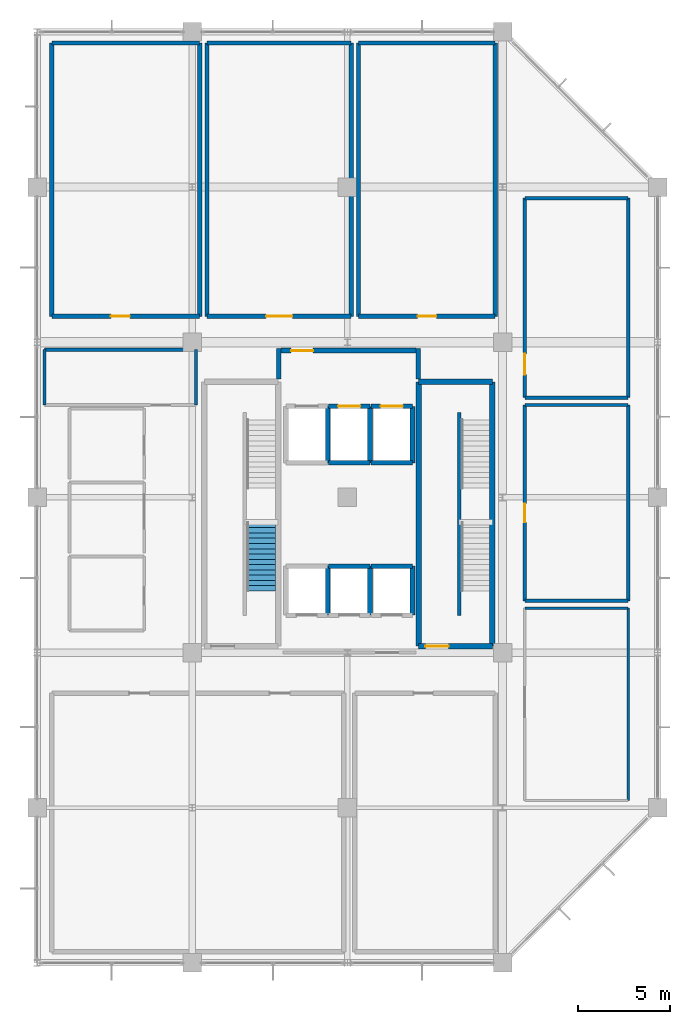
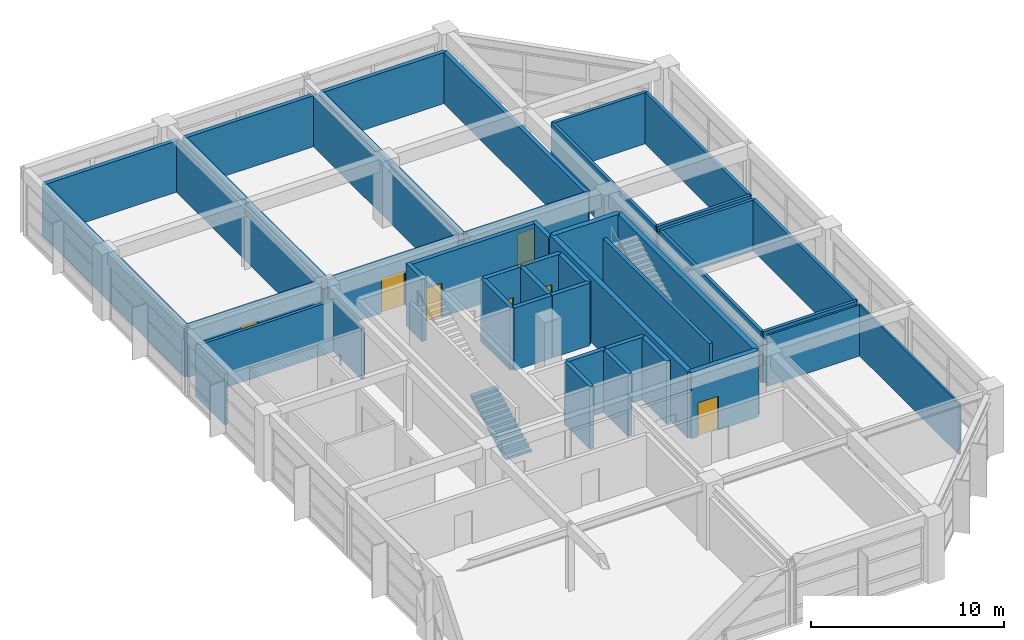
# One storey, part 14 of 16: 45 walls, 9 doors, 1 stair flight, 9 openings, 1 element without a shape of its own.
"""IFC4 building model written with IfcOpenShell, lengths in metres."""

from ifc_helpers import new_model, si_unit, direction, frame, frame_2d, origin, place, context, subcontext, project, spatial, polyline, rectangle, outline, extrude, material, layer, layer_set, type_object, element, fill, aggregate, save


model = new_model("IFC4")

# Units and contexts
model_context = context("Model", 3, precision=1e-05, world=origin(), true_north=direction((0.0, 1.0)))
body_context = subcontext(model_context, "Body", "Model", "MODEL_VIEW")
ifc_project = project(units=[si_unit("LENGTHUNIT", "METRE"), si_unit("AREAUNIT", "SQUARE_METRE"), si_unit("VOLUMEUNIT", "CUBIC_METRE"), si_unit("PLANEANGLEUNIT", "RADIAN"), si_unit("MASSUNIT", "GRAM", prefix="KILO")], contexts=[model_context])

# Site, building, storey
site_placement = place(None, origin())
site = spatial("IfcSite", under=ifc_project, at=site_placement, CompositionType="ELEMENT")
building_placement = place(site_placement, origin())
building = spatial("IfcBuilding", under=site, at=building_placement, Name="Xuanlan Plaza Opera House", CompositionType="ELEMENT")
storey_placement = place(building_placement, frame((0.0, 0.0, 48.89990234375)))
storey = spatial("IfcBuildingStorey", under=building, at=storey_placement, Name="L11", CompositionType="ELEMENT", Elevation=48.89990234375)

# Wall, opening, door
ifc_material_1 = material(Name="Gypsum Board and Galvanised Steel Studs", Category="gypsum")
ifc_layer_1 = layer(ifc_material_1, 0.239990234375)
ifc_layer_set_1 = layer_set([ifc_layer_1], Name="Gypsum Board and Galvanised Steel Studs")
wall_type_1 = type_object("IfcWallType", Name="INT-WL-PW-01", PredefinedType="PARTITIONING", material=ifc_layer_set_1)
wall_1_placement = place(storey_placement, frame((126.800048828125, 68.60009765625, 0.0), z_axis=(0.0, 0.0, 1.0), x_axis=(1.0, 0.0, 0.0)))
wall_1 = element("IfcWall", 1, at=wall_1_placement, inside=storey, type_object=wall_type_1, Name="Chamber Coaching Studio 1 Wall South", PredefinedType="PARTITIONING", context=body_context, shape_type="SweptSolid", body=[
    extrude(rectangle(XDim=8.0, YDim=0.239990234375, at=frame_2d((4.0, 0.0))), origin(), (0.0, 0.0, 1.0), 3.239990234375),
])
opening_1_placement = place(wall_1_placement, frame((3.199951171875, 0.0, 0.0)))
opening_1 = element("IfcOpeningElement", 2, at=opening_1_placement, cuts=wall_1, Name="Opening D-02", PredefinedType="OPENING", context=body_context, shape_type="SweptSolid", body=[
    extrude(rectangle(XDim=1.02001953125, YDim=2.10009765625, at=frame_2d((0.510009765625, 1.050048828125))), frame((0.0, 0.1298828125, 0.0), z_axis=(0.0, -1.0, 0.0), x_axis=(1.0, 0.0, 0.0)), (0.0, 0.0, 1.0), 0.260009765625),
])
ifc_material_2 = material(Name="Oak Hardwood Timber", Category="wood")
door_type_1 = type_object("IfcDoorType", Name="INT-DR-D-02", OperationType="NOTDEFINED", PredefinedType="DOOR", material=ifc_material_2)
door_1_placement = place(opening_1_placement, origin())
door_1 = element("IfcDoor", 3, at=door_1_placement, inside=storey, type_object=door_type_1, Name="Chamber Coaching Studio 1 Door 1", OperationType="SINGLE_SWING_LEFT", OverallHeight=2.10009765625, OverallWidth=1.02001953125, PredefinedType="DOOR", context=body_context, shape_type="SweptSolid", body=[
    extrude(rectangle(XDim=1.02001953125, YDim=2.10009765625, at=frame_2d((0.510009765625, 1.050048828125))), frame((0.0, 0.02490234375, 0.0), z_axis=(0.0, -1.0, 0.0), x_axis=(1.0, 0.0, 0.0)), (0.0, 0.0, 1.0), 0.050048828125),
])
fill(opening_1, door_1)

# Walls
wall_2_placement = place(storey_placement, frame((126.800048828125, 83.39990234375, 0.0), z_axis=(0.0, 0.0, 1.0), x_axis=(1.0, 0.0, 0.0)))
element("IfcWall", 4, at=wall_2_placement, inside=storey, type_object=wall_type_1, Name="Chamber Coaching Studio 1 Wall North", PredefinedType="PARTITIONING", context=body_context, shape_type="SweptSolid", body=[
    extrude(rectangle(XDim=8.0, YDim=0.239990234375, at=frame_2d((4.0, 0.0))), origin(), (0.0, 0.0, 1.0), 3.239990234375),
])
for number, where, z_axis, x_axis, name in (
    (5, (126.800048828125, 68.60009765625, 0.0), (0.0, 0.0, 1.0), (0.0, 1.0, 0.0), "Chamber Coaching Studio 1 Wall West"),
    (6, (134.800048828125, 68.60009765625, 0.0), (0.0, 0.0, 1.0), (0.0, 1.0, 0.0), "Chamber Coaching Studio 1 Wall East"),
):
    element("IfcWall", number, at=place(storey_placement, frame(where, z_axis=z_axis, x_axis=x_axis)), inside=storey, type_object=wall_type_1, Name=name, PredefinedType="PARTITIONING", context=body_context, shape_type="SweptSolid", body=[
        extrude(rectangle(XDim=14.7998046875, YDim=0.239990234375, at=frame_2d((7.39990234375, 0.0))), origin(), (0.0, 0.0, 1.0), 3.239990234375),
    ])

# Wall, opening, door
wall_3_placement = place(storey_placement, frame((135.199951171875, 68.60009765625, 0.0), z_axis=(0.0, 0.0, 1.0), x_axis=(1.0, 0.0, 0.0)))
wall_3 = element("IfcWall", 7, at=wall_3_placement, inside=storey, type_object=wall_type_1, Name="Chamber Coaching Studio 2 Wall South", PredefinedType="PARTITIONING", context=body_context, shape_type="SweptSolid", body=[
    extrude(rectangle(XDim=7.800048828125, YDim=0.239990234375, at=frame_2d((3.89990234375, 0.0))), origin(), (0.0, 0.0, 1.0), 3.239990234375),
])
opening_2_placement = place(wall_3_placement, frame((3.199951171875, 0.0, 0.0)))
opening_2 = element("IfcOpeningElement", 8, at=opening_2_placement, cuts=wall_3, Name="Opening D-12", PredefinedType="OPENING", context=body_context, shape_type="SweptSolid", body=[
    extrude(rectangle(XDim=1.419921875, YDim=2.179931640625, at=frame_2d((0.7099609375, 1.08984375))), frame((0.0, 0.1298828125, 0.0), z_axis=(0.0, -1.0, 0.0), x_axis=(1.0, 0.0, 0.0)), (0.0, 0.0, 1.0), 0.260009765625),
])
door_type_2 = type_object("IfcDoorType", Name="INT-DR-D-12", OperationType="DOUBLE_DOOR_SINGLE_SWING", PredefinedType="DOOR", material=ifc_material_2)
door_2_placement = place(opening_2_placement, origin())
door_2 = element("IfcDoor", 9, at=door_2_placement, inside=storey, type_object=door_type_2, Name="Chamber Coaching Studio 2 Door 1", OperationType="DOUBLE_DOOR_SINGLE_SWING", OverallHeight=2.179931640625, OverallWidth=1.419921875, PredefinedType="DOOR", context=body_context, shape_type="SweptSolid", body=[
    extrude(rectangle(XDim=1.419921875, YDim=2.179931640625, at=frame_2d((0.7099609375, 1.08984375))), frame((0.0, 0.02490234375, 0.0), z_axis=(0.0, -1.0, 0.0), x_axis=(1.0, 0.0, 0.0)), (0.0, 0.0, 1.0), 0.050048828125),
])
fill(opening_2, door_2)

# Walls
wall_4_placement = place(storey_placement, frame((135.199951171875, 83.39990234375, 0.0), z_axis=(0.0, 0.0, 1.0), x_axis=(1.0, 0.0, 0.0)))
element("IfcWall", 10, at=wall_4_placement, inside=storey, type_object=wall_type_1, Name="Chamber Coaching Studio 2 Wall North", PredefinedType="PARTITIONING", context=body_context, shape_type="SweptSolid", body=[
    extrude(rectangle(XDim=7.800048828125, YDim=0.239990234375, at=frame_2d((3.89990234375, 0.0))), origin(), (0.0, 0.0, 1.0), 3.239990234375),
])
for number, where, z_axis, x_axis, name in (
    (11, (135.199951171875, 68.60009765625, 0.0), (0.0, 0.0, 1.0), (0.0, 1.0, 0.0), "Chamber Coaching Studio 2 Wall West"),
    (12, (143.0, 68.60009765625, 0.0), (0.0, 0.0, 1.0), (0.0, 1.0, 0.0), "Chamber Coaching Studio 2 Wall East"),
):
    element("IfcWall", number, at=place(storey_placement, frame(where, z_axis=z_axis, x_axis=x_axis)), inside=storey, type_object=wall_type_1, Name=name, PredefinedType="PARTITIONING", context=body_context, shape_type="SweptSolid", body=[
        extrude(rectangle(XDim=14.7998046875, YDim=0.239990234375, at=frame_2d((7.39990234375, 0.0))), origin(), (0.0, 0.0, 1.0), 3.239990234375),
    ])

# Wall, opening, door
wall_5_placement = place(storey_placement, frame((143.39990234375, 68.60009765625, 0.0), z_axis=(0.0, 0.0, 1.0), x_axis=(1.0, 0.0, 0.0)))
wall_5 = element("IfcWall", 13, at=wall_5_placement, inside=storey, type_object=wall_type_1, Name="Chamber Coaching Studio 3 Wall South", PredefinedType="PARTITIONING", context=body_context, shape_type="SweptSolid", body=[
    extrude(rectangle(XDim=7.400146484375, YDim=0.239990234375, at=frame_2d((3.7001953125, 0.0))), origin(), (0.0, 0.0, 1.0), 3.239990234375),
])
opening_3_placement = place(wall_5_placement, frame((3.199951171875, 0.0, 0.0)))
opening_3 = element("IfcOpeningElement", 14, at=opening_3_placement, cuts=wall_5, Name="Opening D-02", PredefinedType="OPENING", context=body_context, shape_type="SweptSolid", body=[
    extrude(rectangle(XDim=1.02001953125, YDim=2.10009765625, at=frame_2d((0.510009765625, 1.050048828125))), frame((0.0, 0.1298828125, 0.0), z_axis=(0.0, -1.0, 0.0), x_axis=(1.0, 0.0, 0.0)), (0.0, 0.0, 1.0), 0.260009765625),
])
door_3_placement = place(opening_3_placement, origin())
door_3 = element("IfcDoor", 15, at=door_3_placement, inside=storey, type_object=door_type_1, Name="Chamber Coaching Studio 3 Door 1", OperationType="SINGLE_SWING_LEFT", OverallHeight=2.10009765625, OverallWidth=1.02001953125, PredefinedType="DOOR", context=body_context, shape_type="SweptSolid", body=[
    extrude(rectangle(XDim=1.02001953125, YDim=2.10009765625, at=frame_2d((0.510009765625, 1.050048828125))), frame((0.0, 0.02490234375, 0.0), z_axis=(0.0, -1.0, 0.0), x_axis=(1.0, 0.0, 0.0)), (0.0, 0.0, 1.0), 0.050048828125),
])
fill(opening_3, door_3)

# Walls
wall_6_placement = place(storey_placement, frame((143.39990234375, 83.39990234375, 0.0), z_axis=(0.0, 0.0, 1.0), x_axis=(1.0, 0.0, 0.0)))
element("IfcWall", 16, at=wall_6_placement, inside=storey, type_object=wall_type_1, Name="Chamber Coaching Studio 3 Wall North", PredefinedType="PARTITIONING", context=body_context, shape_type="SweptSolid", body=[
    extrude(rectangle(XDim=7.400146484375, YDim=0.239990234375, at=frame_2d((3.7001953125, 0.0))), origin(), (0.0, 0.0, 1.0), 3.239990234375),
])
for number, where, z_axis, x_axis, name in (
    (17, (143.39990234375, 68.60009765625, 0.0), (0.0, 0.0, 1.0), (0.0, 1.0, 0.0), "Chamber Coaching Studio 3 Wall West"),
    (18, (150.800048828125, 68.60009765625, 0.0), (0.0, 0.0, 1.0), (0.0, 1.0, 0.0), "Chamber Coaching Studio 3 Wall East"),
):
    element("IfcWall", number, at=place(storey_placement, frame(where, z_axis=z_axis, x_axis=x_axis)), inside=storey, type_object=wall_type_1, Name=name, PredefinedType="PARTITIONING", context=body_context, shape_type="SweptSolid", body=[
        extrude(rectangle(XDim=14.7998046875, YDim=0.239990234375, at=frame_2d((7.39990234375, 0.0))), origin(), (0.0, 0.0, 1.0), 3.239990234375),
    ])
ifc_layer_2 = layer(ifc_material_1, 0.179931640625)
ifc_layer_set_2 = layer_set([ifc_layer_2], Name="Gypsum Board and Galvanised Steel Studs")
wall_type_2 = type_object("IfcWallType", Name="INT-WL-PW-02", PredefinedType="PARTITIONING", material=ifc_layer_set_2)
for number, where, z_axis, x_axis, name in (
    (19, (152.39990234375, 53.199951171875, 0.0), (0.0, 0.0, 1.0), (1.0, 0.0, 0.0), "Libretto and Media Editing Room 2 Wall South"),
    (20, (152.39990234375, 63.800048828125, 0.0), (0.0, 0.0, 1.0), (1.0, 0.0, 0.0), "Libretto and Media Editing Room 2 Wall North"),
):
    element("IfcWall", number, at=place(storey_placement, frame(where, z_axis=z_axis, x_axis=x_axis)), inside=storey, type_object=wall_type_2, Name=name, PredefinedType="PARTITIONING", context=body_context, shape_type="SweptSolid", body=[
        extrude(rectangle(XDim=5.60009765625, YDim=0.179931640625, at=frame_2d((2.800048828125, 0.0))), origin(), (0.0, 0.0, 1.0), 3.239990234375),
    ])

# Wall, opening, door
wall_7_placement = place(storey_placement, frame((152.39990234375, 53.199951171875, 0.0), z_axis=(0.0, 0.0, 1.0), x_axis=(0.0, 1.0, 0.0)))
wall_7 = element("IfcWall", 21, at=wall_7_placement, inside=storey, type_object=wall_type_2, Name="Libretto and Media Editing Room 2 Wall West", PredefinedType="PARTITIONING", context=body_context, shape_type="SweptSolid", body=[
    extrude(rectangle(XDim=10.60009765625, YDim=0.179931640625, at=frame_2d((5.300048828125, 0.0))), origin(), (0.0, 0.0, 1.0), 3.239990234375),
])
opening_4_placement = place(wall_7_placement, frame((4.25, 0.0, 0.0)))
opening_4 = element("IfcOpeningElement", 22, at=opening_4_placement, cuts=wall_7, Name="Opening D-02", PredefinedType="OPENING", context=body_context, shape_type="SweptSolid", body=[
    extrude(rectangle(XDim=1.02001953125, YDim=2.10009765625, at=frame_2d((0.510009765625, 1.050048828125))), frame((0.0, 0.099853515625, 0.0), z_axis=(0.0, -1.0, 0.0), x_axis=(1.0, 0.0, 0.0)), (0.0, 0.0, 1.0), 0.199951171875),
])
door_4_placement = place(opening_4_placement, origin())
door_4 = element("IfcDoor", 23, at=door_4_placement, inside=storey, type_object=door_type_1, Name="Libretto and Media Editing Room 2 Door 1", OperationType="SINGLE_SWING_LEFT", OverallHeight=2.10009765625, OverallWidth=1.02001953125, PredefinedType="DOOR", context=body_context, shape_type="SweptSolid", body=[
    extrude(rectangle(XDim=1.02001953125, YDim=2.10009765625, at=frame_2d((0.510009765625, 1.050048828125))), frame((0.0, 0.02490234375, 0.0), z_axis=(0.0, -1.0, 0.0), x_axis=(1.0, 0.0, 0.0)), (0.0, 0.0, 1.0), 0.050048828125),
])
fill(opening_4, door_4)

# Walls
wall_8_placement = place(storey_placement, frame((158.0, 53.199951171875, 0.0), z_axis=(0.0, 0.0, 1.0), x_axis=(0.0, 1.0, 0.0)))
element("IfcWall", 24, at=wall_8_placement, inside=storey, type_object=wall_type_2, Name="Libretto and Media Editing Room 2 Wall East", PredefinedType="PARTITIONING", context=body_context, shape_type="SweptSolid", body=[
    extrude(rectangle(XDim=10.60009765625, YDim=0.179931640625, at=frame_2d((5.300048828125, 0.0))), origin(), (0.0, 0.0, 1.0), 3.239990234375),
])
for number, where, z_axis, x_axis, name in (
    (25, (152.39990234375, 64.199951171875, 0.0), (0.0, 0.0, 1.0), (1.0, 0.0, 0.0), "Libretto and Media Editing Room 3 Wall South"),
    (26, (152.39990234375, 75.0, 0.0), (0.0, 0.0, 1.0), (1.0, 0.0, 0.0), "Libretto and Media Editing Room 3 Wall North"),
):
    element("IfcWall", number, at=place(storey_placement, frame(where, z_axis=z_axis, x_axis=x_axis)), inside=storey, type_object=wall_type_2, Name=name, PredefinedType="PARTITIONING", context=body_context, shape_type="SweptSolid", body=[
        extrude(rectangle(XDim=5.60009765625, YDim=0.179931640625, at=frame_2d((2.800048828125, 0.0))), origin(), (0.0, 0.0, 1.0), 3.239990234375),
    ])

# Wall, opening, door
wall_9_placement = place(storey_placement, frame((152.39990234375, 64.199951171875, 0.0), z_axis=(0.0, 0.0, 1.0), x_axis=(0.0, 1.0, 0.0)))
wall_9 = element("IfcWall", 27, at=wall_9_placement, inside=storey, type_object=wall_type_2, Name="Libretto and Media Editing Room 3 Wall West", PredefinedType="PARTITIONING", context=body_context, shape_type="SweptSolid", body=[
    extrude(rectangle(XDim=10.800048828125, YDim=0.179931640625, at=frame_2d((5.39990234375, 0.0))), origin(), (0.0, 0.0, 1.0), 3.239990234375),
])
opening_5_placement = place(wall_9_placement, frame((1.25, 0.0, 0.0)))
opening_5 = element("IfcOpeningElement", 28, at=opening_5_placement, cuts=wall_9, Name="Opening D-10", PredefinedType="OPENING", context=body_context, shape_type="SweptSolid", body=[
    extrude(rectangle(XDim=1.1201171875, YDim=2.139892578125, at=frame_2d((0.56005859375, 1.06982421875))), frame((0.0, 0.099853515625, 0.0), z_axis=(0.0, -1.0, 0.0), x_axis=(1.0, 0.0, 0.0)), (0.0, 0.0, 1.0), 0.199951171875),
])
door_type_3 = type_object("IfcDoorType", Name="INT-DR-D-10", OperationType="NOTDEFINED", PredefinedType="DOOR", material=ifc_material_2)
door_5_placement = place(opening_5_placement, origin())
door_5 = element("IfcDoor", 29, at=door_5_placement, inside=storey, type_object=door_type_3, Name="Libretto and Media Editing Room 3 Door 1", OperationType="SINGLE_SWING_LEFT", OverallHeight=2.139892578125, OverallWidth=1.1201171875, PredefinedType="DOOR", context=body_context, shape_type="SweptSolid", body=[
    extrude(rectangle(XDim=1.1201171875, YDim=2.139892578125, at=frame_2d((0.56005859375, 1.06982421875))), frame((0.0, 0.02490234375, 0.0), z_axis=(0.0, -1.0, 0.0), x_axis=(1.0, 0.0, 0.0)), (0.0, 0.0, 1.0), 0.050048828125),
])
fill(opening_5, door_5)

# Walls
wall_10_placement = place(storey_placement, frame((158.0, 64.199951171875, 0.0), z_axis=(0.0, 0.0, 1.0), x_axis=(0.0, 1.0, 0.0)))
element("IfcWall", 30, at=wall_10_placement, inside=storey, type_object=wall_type_2, Name="Libretto and Media Editing Room 3 Wall East", PredefinedType="PARTITIONING", context=body_context, shape_type="SweptSolid", body=[
    extrude(rectangle(XDim=10.800048828125, YDim=0.179931640625, at=frame_2d((5.39990234375, 0.0))), origin(), (0.0, 0.0, 1.0), 3.239990234375),
])
wall_11_placement = place(storey_placement, frame((126.39990234375, 66.800048828125, 0.0), z_axis=(0.0, 0.0, 1.0), x_axis=(1.0, 0.0, 0.0)))
element("IfcWall", 31, at=wall_11_placement, inside=storey, type_object=wall_type_2, Name="Acoustics Research Studio Wall North", PredefinedType="PARTITIONING", context=body_context, shape_type="SweptSolid", body=[
    extrude(rectangle(XDim=8.2001953125, YDim=0.179931640625, at=frame_2d((4.10009765625, 0.0))), origin(), (0.0, 0.0, 1.0), 3.239990234375),
])
for number, where, z_axis, x_axis, name in (
    (32, (126.39990234375, 63.800048828125, 0.0), (0.0, 0.0, 1.0), (0.0, 1.0, 0.0), "Acoustics Research Studio Wall West"),
    (33, (134.60009765625, 63.800048828125, 0.0), (0.0, 0.0, 1.0), (0.0, 1.0, 0.0), "Acoustics Research Studio Wall East"),
):
    element("IfcWall", number, at=place(storey_placement, frame(where, z_axis=z_axis, x_axis=x_axis)), inside=storey, type_object=wall_type_2, Name=name, PredefinedType="PARTITIONING", context=body_context, shape_type="SweptSolid", body=[
        extrude(rectangle(XDim=3.0, YDim=0.179931640625, at=frame_2d((1.5, 0.0))), origin(), (0.0, 0.0, 1.0), 3.239990234375),
    ])
ifc_layer_3 = layer(ifc_material_1, 0.1201171875)
ifc_layer_set_3 = layer_set([ifc_layer_3], Name="Gypsum Board and Galvanised Steel Studs")
wall_type_3 = type_object("IfcWallType", Name="INT-WL-PW-04", PredefinedType="PARTITIONING", material=ifc_layer_set_3)
wall_12_placement = place(storey_placement, frame((152.39990234375, 52.800048828125, 0.0), z_axis=(0.0, 0.0, 1.0), x_axis=(1.0, 0.0, 0.0)))
element("IfcWall", 34, at=wall_12_placement, inside=storey, type_object=wall_type_3, Name="Libretto and Media Editing Room 1 Wall North", PredefinedType="PARTITIONING", context=body_context, shape_type="SweptSolid", body=[
    extrude(rectangle(XDim=5.60009765625, YDim=0.1201171875, at=frame_2d((2.800048828125, 0.0))), origin(), (0.0, 0.0, 1.0), 3.239990234375),
])
wall_13_placement = place(storey_placement, frame((158.0, 42.39990234375, 0.0), z_axis=(0.0, 0.0, 1.0), x_axis=(0.0, 1.0, 0.0)))
element("IfcWall", 35, at=wall_13_placement, inside=storey, type_object=wall_type_3, Name="Libretto and Media Editing Room 1 Wall East", PredefinedType="PARTITIONING", context=body_context, shape_type="SweptSolid", body=[
    extrude(rectangle(XDim=10.400146484375, YDim=0.1201171875, at=frame_2d((5.2001953125, 0.0))), origin(), (0.0, 0.0, 1.0), 3.239990234375),
])
ifc_material_3 = material(Name="Concrete C40", Category="concrete")
ifc_layer_4 = layer(ifc_material_3, 0.25)
ifc_layer_set_4 = layer_set([ifc_layer_4], Name="Concrete C40")
wall_type_4 = type_object("IfcWallType", Name="INT-WL-SW-LF1", PredefinedType="SHEAR", material=ifc_layer_set_4)
wall_14_placement = place(storey_placement, frame((141.72509765625, 60.675048828125, 0.0), z_axis=(0.0, 0.0, 1.0), x_axis=(0.0, 1.0, 0.0)))
element("IfcWall", 36, at=wall_14_placement, inside=storey, type_object=wall_type_4, Name="Lift Shaft Wall LF-FF1 L11 East", PredefinedType="SHEAR", context=body_context, shape_type="SweptSolid", body=[
    extrude(rectangle(XDim=3.050048828125, YDim=0.25, at=frame_2d((1.52490234375, 0.0))), origin(), (0.0, 0.0, 1.0), 3.960205078125),
])
wall_15_placement = place(storey_placement, frame((141.77490234375, 60.675048828125, 0.0), z_axis=(0.0, 0.0, 1.0), x_axis=(1.0, 0.0, 0.0)))
element("IfcWall", 37, at=wall_15_placement, inside=storey, type_object=wall_type_4, Name="Lift Shaft Wall LF-FF2 L11 South", PredefinedType="SHEAR", context=body_context, shape_type="SweptSolid", body=[
    extrude(rectangle(XDim=2.25, YDim=0.25, at=frame_2d((1.125, 0.0))), origin(), (0.0, 0.0, 1.0), 3.960205078125),
])

# Wall, opening, door
wall_16_placement = place(storey_placement, frame((141.77490234375, 63.72509765625, 0.0), z_axis=(0.0, 0.0, 1.0), x_axis=(1.0, 0.0, 0.0)))
wall_16 = element("IfcWall", 38, at=wall_16_placement, inside=storey, type_object=wall_type_4, Name="Lift Shaft Wall LF-FF2 L11 North", PredefinedType="SHEAR", context=body_context, shape_type="SweptSolid", body=[
    extrude(rectangle(XDim=2.25, YDim=0.25, at=frame_2d((1.125, 0.0))), origin(), (0.0, 0.0, 1.0), 3.960205078125),
])
opening_6_placement = place(wall_16_placement, frame((0.52490234375, 0.0, 0.0)))
opening_6 = element("IfcOpeningElement", 39, at=opening_6_placement, cuts=wall_16, Name="Opening LD-FF2-L11", PredefinedType="OPENING", context=body_context, shape_type="SweptSolid", body=[
    extrude(rectangle(XDim=1.199951171875, YDim=2.179931640625, at=frame_2d((0.60009765625, 1.08984375))), frame((0.0, 0.135009765625, 0.0), z_axis=(0.0, -1.0, 0.0), x_axis=(1.0, 0.0, 0.0)), (0.0, 0.0, 1.0), 0.27001953125),
])
ifc_material_4 = material(Name="Stainless Steel S30408", Category="steel")
door_type_4 = type_object("IfcDoorType", Name="INT-DR-LD-02", OperationType="DOUBLE_DOOR_SLIDING", PredefinedType="DOOR", material=ifc_material_4)
door_6_placement = place(opening_6_placement, origin())
door_6 = element("IfcDoor", 40, at=door_6_placement, inside=storey, type_object=door_type_4, Name="Lift Sliding Landing Door LF-FF2 L11", OperationType="DOUBLE_DOOR_SLIDING", OverallHeight=2.179931640625, OverallWidth=1.199951171875, PredefinedType="DOOR", context=body_context, shape_type="SweptSolid", body=[
    extrude(rectangle(XDim=1.199951171875, YDim=2.179931640625, at=frame_2d((0.60009765625, 1.08984375))), frame((0.0, 0.02490234375, 0.0), z_axis=(0.0, -1.0, 0.0), x_axis=(1.0, 0.0, 0.0)), (0.0, 0.0, 1.0), 0.050048828125),
])
fill(opening_6, door_6)

# Walls
wall_17_placement = place(storey_placement, frame((144.02490234375, 60.675048828125, 0.0), z_axis=(0.0, 0.0, 1.0), x_axis=(0.0, 1.0, 0.0)))
element("IfcWall", 41, at=wall_17_placement, inside=storey, type_object=wall_type_4, Name="Lift Shaft Wall LF-FF2 L11 East", PredefinedType="SHEAR", context=body_context, shape_type="SweptSolid", body=[
    extrude(rectangle(XDim=3.050048828125, YDim=0.25, at=frame_2d((1.52490234375, 0.0))), origin(), (0.0, 0.0, 1.0), 3.960205078125),
])
wall_18_placement = place(storey_placement, frame((144.074951171875, 60.675048828125, 0.0), z_axis=(0.0, 0.0, 1.0), x_axis=(1.0, 0.0, 0.0)))
element("IfcWall", 42, at=wall_18_placement, inside=storey, type_object=wall_type_4, Name="Lift Shaft Wall LF-FF3 L11 South", PredefinedType="SHEAR", context=body_context, shape_type="SweptSolid", body=[
    extrude(rectangle(XDim=2.25, YDim=0.25, at=frame_2d((1.125, 0.0))), origin(), (0.0, 0.0, 1.0), 3.960205078125),
])

# Wall, opening, door
wall_19_placement = place(storey_placement, frame((144.074951171875, 63.72509765625, 0.0), z_axis=(0.0, 0.0, 1.0), x_axis=(1.0, 0.0, 0.0)))
wall_19 = element("IfcWall", 43, at=wall_19_placement, inside=storey, type_object=wall_type_4, Name="Lift Shaft Wall LF-FF3 L11 North", PredefinedType="SHEAR", context=body_context, shape_type="SweptSolid", body=[
    extrude(rectangle(XDim=2.25, YDim=0.25, at=frame_2d((1.125, 0.0))), origin(), (0.0, 0.0, 1.0), 3.960205078125),
])
opening_7_placement = place(wall_19_placement, frame((0.52490234375, 0.0, 0.0)))
opening_7 = element("IfcOpeningElement", 44, at=opening_7_placement, cuts=wall_19, Name="Opening LD-FF3-L11", PredefinedType="OPENING", context=body_context, shape_type="SweptSolid", body=[
    extrude(rectangle(XDim=1.199951171875, YDim=2.179931640625, at=frame_2d((0.60009765625, 1.08984375))), frame((0.0, 0.135009765625, 0.0), z_axis=(0.0, -1.0, 0.0), x_axis=(1.0, 0.0, 0.0)), (0.0, 0.0, 1.0), 0.27001953125),
])
door_7_placement = place(opening_7_placement, origin())
door_7 = element("IfcDoor", 45, at=door_7_placement, inside=storey, type_object=door_type_4, Name="Lift Sliding Landing Door LF-FF3 L11", OperationType="DOUBLE_DOOR_SLIDING", OverallHeight=2.179931640625, OverallWidth=1.199951171875, PredefinedType="DOOR", context=body_context, shape_type="SweptSolid", body=[
    extrude(rectangle(XDim=1.199951171875, YDim=2.179931640625, at=frame_2d((0.60009765625, 1.08984375))), frame((0.0, 0.02490234375, 0.0), z_axis=(0.0, -1.0, 0.0), x_axis=(1.0, 0.0, 0.0)), (0.0, 0.0, 1.0), 0.050048828125),
])
fill(opening_7, door_7)

# Walls
wall_20_placement = place(storey_placement, frame((146.324951171875, 60.675048828125, 0.0), z_axis=(0.0, 0.0, 1.0), x_axis=(0.0, 1.0, 0.0)))
element("IfcWall", 46, at=wall_20_placement, inside=storey, type_object=wall_type_4, Name="Lift Shaft Wall LF-FF3 L11 East", PredefinedType="SHEAR", context=body_context, shape_type="SweptSolid", body=[
    extrude(rectangle(XDim=3.050048828125, YDim=0.25, at=frame_2d((1.52490234375, 0.0))), origin(), (0.0, 0.0, 1.0), 3.960205078125),
])
wall_21_placement = place(storey_placement, frame((141.72509765625, 52.425048828125, 0.0), z_axis=(0.0, 0.0, 1.0), x_axis=(0.0, 1.0, 0.0)))
element("IfcWall", 47, at=wall_21_placement, inside=storey, type_object=wall_type_4, Name="Lift Shaft Wall LF-P1 L11 East", PredefinedType="SHEAR", context=body_context, shape_type="SweptSolid", body=[
    extrude(rectangle(XDim=2.64990234375, YDim=0.25, at=frame_2d((1.324951171875, 0.0))), origin(), (0.0, 0.0, 1.0), 3.960205078125),
])
wall_22_placement = place(storey_placement, frame((141.77490234375, 55.074951171875, 0.0), z_axis=(0.0, 0.0, 1.0), x_axis=(1.0, 0.0, 0.0)))
element("IfcWall", 48, at=wall_22_placement, inside=storey, type_object=wall_type_4, Name="Lift Shaft Wall LF-P2 L11 North", PredefinedType="SHEAR", context=body_context, shape_type="SweptSolid", body=[
    extrude(rectangle(XDim=2.25, YDim=0.25, at=frame_2d((1.125, 0.0))), origin(), (0.0, 0.0, 1.0), 3.960205078125),
])
wall_23_placement = place(storey_placement, frame((144.02490234375, 52.425048828125, 0.0), z_axis=(0.0, 0.0, 1.0), x_axis=(0.0, 1.0, 0.0)))
element("IfcWall", 49, at=wall_23_placement, inside=storey, type_object=wall_type_4, Name="Lift Shaft Wall LF-P2 L11 East", PredefinedType="SHEAR", context=body_context, shape_type="SweptSolid", body=[
    extrude(rectangle(XDim=2.64990234375, YDim=0.25, at=frame_2d((1.324951171875, 0.0))), origin(), (0.0, 0.0, 1.0), 3.960205078125),
])
wall_24_placement = place(storey_placement, frame((144.074951171875, 55.074951171875, 0.0), z_axis=(0.0, 0.0, 1.0), x_axis=(1.0, 0.0, 0.0)))
element("IfcWall", 50, at=wall_24_placement, inside=storey, type_object=wall_type_4, Name="Lift Shaft Wall LF-P3 L11 North", PredefinedType="SHEAR", context=body_context, shape_type="SweptSolid", body=[
    extrude(rectangle(XDim=2.25, YDim=0.25, at=frame_2d((1.125, 0.0))), origin(), (0.0, 0.0, 1.0), 3.960205078125),
])
wall_25_placement = place(storey_placement, frame((146.324951171875, 52.425048828125, 0.0), z_axis=(0.0, 0.0, 1.0), x_axis=(0.0, 1.0, 0.0)))
element("IfcWall", 51, at=wall_25_placement, inside=storey, type_object=wall_type_4, Name="Lift Shaft Wall LF-P3 L11 East", PredefinedType="SHEAR", context=body_context, shape_type="SweptSolid", body=[
    extrude(rectangle(XDim=2.64990234375, YDim=0.25, at=frame_2d((1.324951171875, 0.0))), origin(), (0.0, 0.0, 1.0), 3.960205078125),
])
for number, where, z_axis, x_axis, name in (
    (52, (139.074951171875, 65.199951171875, 0.0), (0.0, 0.0, 1.0), (0.0, 1.0, 0.0), "Firefighting Lift Lobby Enclosure Wall L11 W"),
    (53, (146.625, 65.199951171875, 0.0), (0.0, 0.0, 1.0), (0.0, 1.0, 0.0), "Firefighting Lift Lobby Enclosure Wall L11 E"),
):
    element("IfcWall", number, at=place(storey_placement, frame(where, z_axis=z_axis, x_axis=x_axis)), inside=storey, type_object=wall_type_4, Name=name, PredefinedType="SHEAR", context=body_context, shape_type="SweptSolid", body=[
        extrude(rectangle(XDim=1.675048828125, YDim=0.25, at=frame_2d((0.83740234375, 0.0))), origin(), (0.0, 0.0, 1.0), 3.960205078125),
    ])

# Wall, opening, door
wall_26_placement = place(storey_placement, frame((139.199951171875, 66.75, 0.0), z_axis=(0.0, 0.0, 1.0), x_axis=(1.0, 0.0, 0.0)))
wall_26 = element("IfcWall", 54, at=wall_26_placement, inside=storey, type_object=wall_type_4, Name="Firefighting Lift Lobby Wall North", PredefinedType="SHEAR", context=body_context, shape_type="SweptSolid", body=[
    extrude(rectangle(XDim=7.300048828125, YDim=0.25, at=frame_2d((3.64990234375, 0.0))), origin(), (0.0, 0.0, 1.0), 3.960205078125),
])
opening_8_placement = place(wall_26_placement, frame((0.550048828125, 0.0, 0.0)))
opening_8 = element("IfcOpeningElement", 55, at=opening_8_placement, cuts=wall_26, Name="Opening FD-02", PredefinedType="OPENING", context=body_context, shape_type="SweptSolid", body=[
    extrude(rectangle(XDim=1.199951171875, YDim=2.14990234375, at=frame_2d((0.60009765625, 1.074951171875))), frame((0.0, 0.135009765625, 0.0), z_axis=(0.0, -1.0, 0.0), x_axis=(1.0, 0.0, 0.0)), (0.0, 0.0, 1.0), 0.27001953125),
])
ifc_material_5 = material(Name="Galvanised Steel Q235B", Category="steel")
door_type_5 = type_object("IfcDoorType", Name="INT-DR-FD-02", OperationType="NOTDEFINED", PredefinedType="DOOR", material=ifc_material_5)
door_8_placement = place(opening_8_placement, origin())
door_8 = element("IfcDoor", 56, at=door_8_placement, inside=storey, type_object=door_type_5, Name="Firefighting Lift Lobby Door 1", OperationType="SINGLE_SWING_RIGHT", OverallHeight=2.14990234375, OverallWidth=1.199951171875, PredefinedType="DOOR", context=body_context, shape_type="SweptSolid", body=[
    extrude(rectangle(XDim=1.199951171875, YDim=2.14990234375, at=frame_2d((0.60009765625, 1.074951171875))), frame((0.0, 0.02490234375, 0.0), z_axis=(0.0, -1.0, 0.0), x_axis=(1.0, 0.0, 0.0)), (0.0, 0.0, 1.0), 0.050048828125),
])
fill(opening_8, door_8)

# Wall
ifc_layer_5 = layer(ifc_material_3, 0.199951171875)
ifc_layer_set_5 = layer_set([ifc_layer_5], Name="Concrete C40")
wall_type_5 = type_object("IfcWallType", Name="INT-WL-SW-SPN", PredefinedType="SHEAR", material=ifc_layer_set_5)
wall_27_placement = place(storey_placement, frame((148.85009765625, 52.39990234375, 0.0), z_axis=(0.0, 0.0, 1.0), x_axis=(0.0, 1.0, 0.0)))
element("IfcWall", 57, at=wall_27_placement, inside=storey, type_object=wall_type_5, Name="Stair Structural Spine Wall ST-T2 L11", PredefinedType="SHEAR", context=body_context, shape_type="SweptSolid", body=[
    extrude(rectangle(XDim=11.0, YDim=0.199951171875, at=frame_2d((5.5, 0.0))), origin(), (0.0, 0.0, 1.0), 4.2001953125),
])

# Wall, opening, door
ifc_layer_6 = layer(ifc_material_3, 0.300048828125)
ifc_layer_set_6 = layer_set([ifc_layer_6], Name="Concrete C40")
wall_type_6 = type_object("IfcWallType", Name="INT-WL-SW-ST1", PredefinedType="SHEAR", material=ifc_layer_set_6)
wall_28_placement = place(storey_placement, frame((146.64990234375, 50.75, 0.0), z_axis=(0.0, 0.0, 1.0), x_axis=(1.0, 0.0, 0.0)))
wall_28 = element("IfcWall", 58, at=wall_28_placement, inside=storey, type_object=wall_type_6, Name="Stair Core Wall ST-T2 L11 South", PredefinedType="SHEAR", context=body_context, shape_type="SweptSolid", body=[
    extrude(rectangle(XDim=4.0, YDim=0.300048828125, at=frame_2d((2.0, 0.0))), origin(), (0.0, 0.0, 1.0), 4.2001953125),
])
opening_9_placement = place(wall_28_placement, frame((0.375, 0.0, 0.0)))
opening_9 = element("IfcOpeningElement", 59, at=opening_9_placement, cuts=wall_28, Name="Opening FD-ST1", PredefinedType="OPENING", context=body_context, shape_type="SweptSolid", body=[
    extrude(rectangle(XDim=1.25, YDim=2.14990234375, at=frame_2d((0.625, 1.074951171875))), frame((0.0, 0.159912109375, 0.0), z_axis=(0.0, -1.0, 0.0), x_axis=(1.0, 0.0, 0.0)), (0.0, 0.0, 1.0), 0.320068359375),
])
door_type_6 = type_object("IfcDoorType", Name="INT-DR-FD-ST1", OperationType="NOTDEFINED", PredefinedType="DOOR", material=ifc_material_5)
door_9_placement = place(opening_9_placement, origin())
door_9 = element("IfcDoor", 60, at=door_9_placement, inside=storey, type_object=door_type_6, Name="Stair Enclosure Fire Door ST-T2 L11", OperationType="SINGLE_SWING_RIGHT", OverallHeight=2.14990234375, OverallWidth=1.25, PredefinedType="DOOR", context=body_context, shape_type="SweptSolid", body=[
    extrude(rectangle(XDim=1.25, YDim=2.14990234375, at=frame_2d((0.625, 1.074951171875))), frame((0.0, 0.02490234375, 0.0), z_axis=(0.0, -1.0, 0.0), x_axis=(1.0, 0.0, 0.0)), (0.0, 0.0, 1.0), 0.050048828125),
])
fill(opening_9, door_9)

# Walls
wall_29_placement = place(storey_placement, frame((146.64990234375, 65.050048828125, 0.0), z_axis=(0.0, 0.0, 1.0), x_axis=(1.0, 0.0, 0.0)))
element("IfcWall", 61, at=wall_29_placement, inside=storey, type_object=wall_type_6, Name="Stair Core Wall ST-T2 L11 North", PredefinedType="SHEAR", context=body_context, shape_type="SweptSolid", body=[
    extrude(rectangle(XDim=4.0, YDim=0.300048828125, at=frame_2d((2.0, 0.0))), origin(), (0.0, 0.0, 1.0), 4.2001953125),
])
for number, where, z_axis, x_axis, name in (
    (62, (146.64990234375, 50.75, 0.0), (0.0, 0.0, 1.0), (0.0, 1.0, 0.0), "Stair Core Wall ST-T2 L11 West"),
    (63, (150.64990234375, 50.75, 0.0), (0.0, 0.0, 1.0), (0.0, 1.0, 0.0), "Stair Core Wall ST-T2 L11 East"),
):
    element("IfcWall", number, at=place(storey_placement, frame(where, z_axis=z_axis, x_axis=x_axis)), inside=storey, type_object=wall_type_6, Name=name, PredefinedType="SHEAR", context=body_context, shape_type="SweptSolid", body=[
        extrude(rectangle(XDim=14.300048828125, YDim=0.300048828125, at=frame_2d((7.14990234375, 0.0))), origin(), (0.0, 0.0, 1.0), 4.2001953125),
    ])

# Stair, stair flight
stair_type = type_object("IfcStairType", Name="INT-ST-STR-T155", PredefinedType="STRAIGHT_RUN_STAIR", material=ifc_material_3)
stair_placement = place(storey_placement, origin())
stair = element("IfcStair", 64, at=stair_placement, inside=storey, type_object=stair_type, Name="Protected Exit Stair ST-T1 L11", PredefinedType="STRAIGHT_RUN_STAIR")
ifc_layer_7 = layer(ifc_material_3, 0.159912109375)
ifc_layer_set_7 = layer_set([ifc_layer_7], Name="Concrete C40")
stair_flight_type = type_object("IfcStairFlightType", Name="INT-FL-FL-155", PredefinedType="STRAIGHT", material=ifc_layer_set_7)
stair_flight_placement = place(storey_placement, frame((138.125, 53.739990234375, 0.0), z_axis=(0.0, 0.0, 1.0), x_axis=(0.0, 1.0, 0.0)))
stair_flight = element("IfcStairFlight", 65, at=stair_flight_placement, type_object=stair_flight_type, Name="ST-T1-L11 flight 1", NumberOfRisers=14, NumberOfTreads=13, PredefinedType="STRAIGHT", RiserHeight=0.15, TreadLength=0.285, context=body_context, shape_type="SweptSolid", body=[
    extrude(outline(polyline([(0.0, 0.0), (0.0, 0.14990234375), (0.284912109375, 0.14990234375), (0.284912109375, 0.300048828125), (0.570068359375, 0.300048828125), (0.570068359375, 0.449951171875), (0.85498046875, 0.449951171875), (0.85498046875, 0.60009765625), (1.139892578125, 0.60009765625), (1.139892578125, 0.75), (1.425048828125, 0.75), (1.425048828125, 0.89990234375), (1.7099609375, 0.89990234375), (1.7099609375, 1.050048828125), (1.9951171875, 1.050048828125), (1.9951171875, 1.199951171875), (2.280029296875, 1.199951171875), (2.280029296875, 1.35009765625), (2.56494140625, 1.35009765625), (2.56494140625, 1.5), (2.85009765625, 1.5), (2.85009765625, 1.64990234375), (3.135009765625, 1.64990234375), (3.135009765625, 1.800048828125), (3.419921875, 1.800048828125), (3.419921875, 1.949951171875), (3.705078125, 1.949951171875), (3.705078125, 2.10009765625), (3.705078125, 1.769287109375), (0.34326171875, 0.0), (0.0, 0.0)])), frame((0.0, 0.77490234375, 0.0), z_axis=(0.0, -1.0, 0.0), x_axis=(1.0, 0.0, 0.0)), (0.0, 0.0, 1.0), 1.550048828125),
])
aggregate(stair, [stair_flight])

save(model, "model.ifc")
